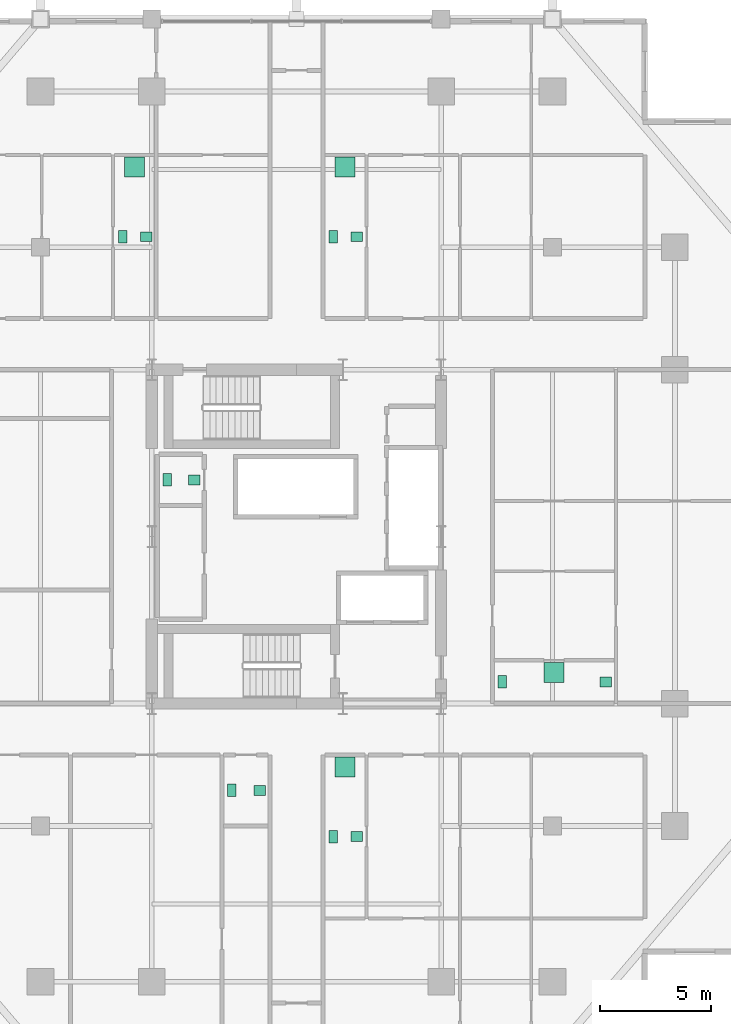
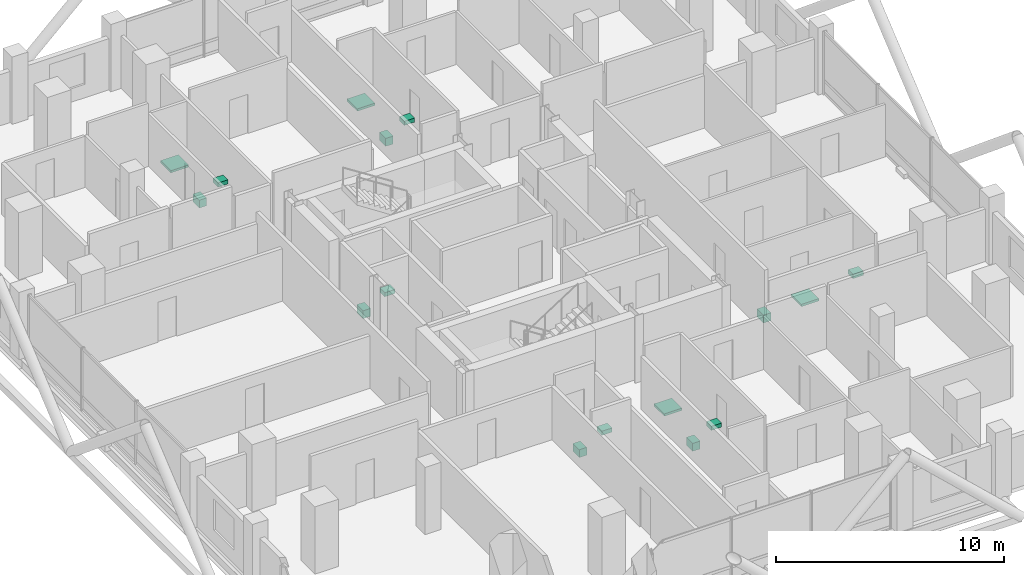
# One storey, part 25 of 25: 16 sanitary terminals.
"""IFC4 building model written with IfcOpenShell, lengths in metres."""

from ifc_helpers import new_model, si_unit, direction, frame, origin, origin_2d, place, context, subcontext, project, spatial, rectangle, extrude, material, type_object, element, save


model = new_model("IFC4")

# Units and contexts
model_context = context("Model", 3, precision=1e-05, world=origin(), true_north=direction((0.0, 1.0)))
body_context = subcontext(model_context, "Body", "Model", "MODEL_VIEW")
ifc_project = project(units=[si_unit("LENGTHUNIT", "METRE"), si_unit("AREAUNIT", "SQUARE_METRE"), si_unit("VOLUMEUNIT", "CUBIC_METRE"), si_unit("PLANEANGLEUNIT", "RADIAN"), si_unit("MASSUNIT", "GRAM", prefix="KILO")], contexts=[model_context])

# Site, building, storey
site_placement = place(None, origin())
site = spatial("IfcSite", under=ifc_project, at=site_placement, CompositionType="ELEMENT")
building_placement = place(site_placement, origin())
building = spatial("IfcBuilding", under=site, at=building_placement, Name="Barlavira Tower and Art Museum", CompositionType="ELEMENT")
storey_placement = place(building_placement, frame((0.0, 0.0, 144.0)))
storey = spatial("IfcBuildingStorey", under=building, at=storey_placement, Name="L36", CompositionType="ELEMENT", Elevation=144.0)

# Sanitary terminals
ifc_material = material(Name="Vitreous glazed ceramic", Category="ceramic")
sanitary_terminal_type_1 = type_object("IfcSanitaryTerminalType", Name="Countertop Ceramic Wash Hand Basin", PredefinedType="WASHHANDBASIN", material=ifc_material)
for number, where, z_axis, x_axis, name in (
    (1, (-4.60009765625, 2.550048828125, 0.740234375), (0.0, 0.0, 1.0), (1.0, 0.0, 0.0), "L36-C-REC1W Wash Basin"),
    (2, (-1.64990234375, -11.39990234375, 0.740234375), (0.0, 0.0, 1.0), (1.0, 0.0, 0.0), "L36-SW-SWC Wash Basin"),
    (3, (2.699951171875, -13.47509765625, 0.740234375), (0.0, 0.0, 1.0), (1.0, 0.0, 0.0), "L36-SE1-BTH1 Wash Basin"),
    (4, (-6.75, 13.47509765625, 0.740234375), (0.0, 0.0, 1.0), (1.0, 0.0, 0.0), "L36-NW1-BTH1 Wash Basin"),
    (5, (2.699951171875, 13.47509765625, 0.740234375), (0.0, 0.0, 1.0), (1.0, 0.0, 0.0), "L36-NE1-BTH1 Wash Basin"),
    (6, (13.89990234375, -6.52490234375, 0.740234375), (0.0, 0.0, 1.0), (1.0, 0.0, 0.0), "L36-E1-BTH1 Wash Basin"),
):
    element("IfcSanitaryTerminal", number, at=place(storey_placement, frame(where, z_axis=z_axis, x_axis=x_axis)), inside=storey, type_object=sanitary_terminal_type_1, Name=name, PredefinedType="WASHHANDBASIN", context=body_context, shape_type="SweptSolid", body=[
        extrude(rectangle(XDim=0.52001953125, YDim=0.43994140625, at=origin_2d()), origin(), (0.0, 0.0, 1.0), 0.219970703125),
    ])
sanitary_terminal_type_2 = type_object("IfcSanitaryTerminalType", Name="Walk-In Thermostatic Rain Shower Unit", PredefinedType="SHOWER", material=ifc_material)
for number, where, z_axis, x_axis, name in (
    (7, (2.175048828125, -10.35009765625, 0.0), (0.0, 0.0, 1.0), (1.0, 0.0, 0.0), "L36-SE1-BTH1 Rain Shower"),
    (8, (-7.27490234375, 16.60009765625, 0.0), (0.0, 0.0, 1.0), (1.0, 0.0, 0.0), "L36-NW1-BTH1 Rain Shower"),
    (9, (2.175048828125, 16.60009765625, 0.0), (0.0, 0.0, 1.0), (1.0, 0.0, 0.0), "L36-NE1-BTH1 Rain Shower"),
    (10, (11.574951171875, -6.10009765625, 0.0), (0.0, 0.0, 1.0), (1.0, 0.0, 0.0), "L36-E1-BTH1 Rain Shower"),
):
    element("IfcSanitaryTerminal", number, at=place(storey_placement, frame(where, z_axis=z_axis, x_axis=x_axis)), inside=storey, type_object=sanitary_terminal_type_2, Name=name, PredefinedType="SHOWER", context=body_context, shape_type="SweptSolid", body=[
        extrude(rectangle(XDim=0.89990234375, YDim=0.89990234375, at=origin_2d()), origin(), (0.0, 0.0, 1.0), 0.1201171875),
    ])
sanitary_terminal_type_3 = type_object("IfcSanitaryTerminalType", Name="Wall-Hung Dual-Flush Vitreous WC Pan", PredefinedType="TOILETPAN", material=ifc_material)
for number, where, z_axis, x_axis, name in (
    (11, (-5.800048828125, 2.550048828125, 0.0), (0.0, 0.0, 1.0), (1.0, 0.0, 0.0), "L36-C-REC1W WC Pan"),
    (12, (-2.89990234375, -11.39990234375, 0.0), (0.0, 0.0, 1.0), (1.0, 0.0, 0.0), "L36-SW-SWC WC Pan"),
    (13, (1.64990234375, -13.47509765625, 0.0), (0.0, 0.0, 1.0), (1.0, 0.0, 0.0), "L36-SE1-BTH1 WC Pan"),
    (14, (-7.800048828125, 13.47509765625, 0.0), (0.0, 0.0, 1.0), (1.0, 0.0, 0.0), "L36-NW1-BTH1 WC Pan"),
    (15, (1.64990234375, 13.47509765625, 0.0), (0.0, 0.0, 1.0), (1.0, 0.0, 0.0), "L36-NE1-BTH1 WC Pan"),
    (16, (9.25, -6.52490234375, 0.0), (0.0, 0.0, 1.0), (1.0, 0.0, 0.0), "L36-E1-BTH1 WC Pan"),
):
    element("IfcSanitaryTerminal", number, at=place(storey_placement, frame(where, z_axis=z_axis, x_axis=x_axis)), inside=storey, type_object=sanitary_terminal_type_3, Name=name, PredefinedType="TOILETPAN", context=body_context, shape_type="SweptSolid", body=[
        extrude(rectangle(XDim=0.3798828125, YDim=0.56005859375, at=origin_2d()), origin(), (0.0, 0.0, 1.0), 0.419921875),
    ])

save(model, "model.ifc")
